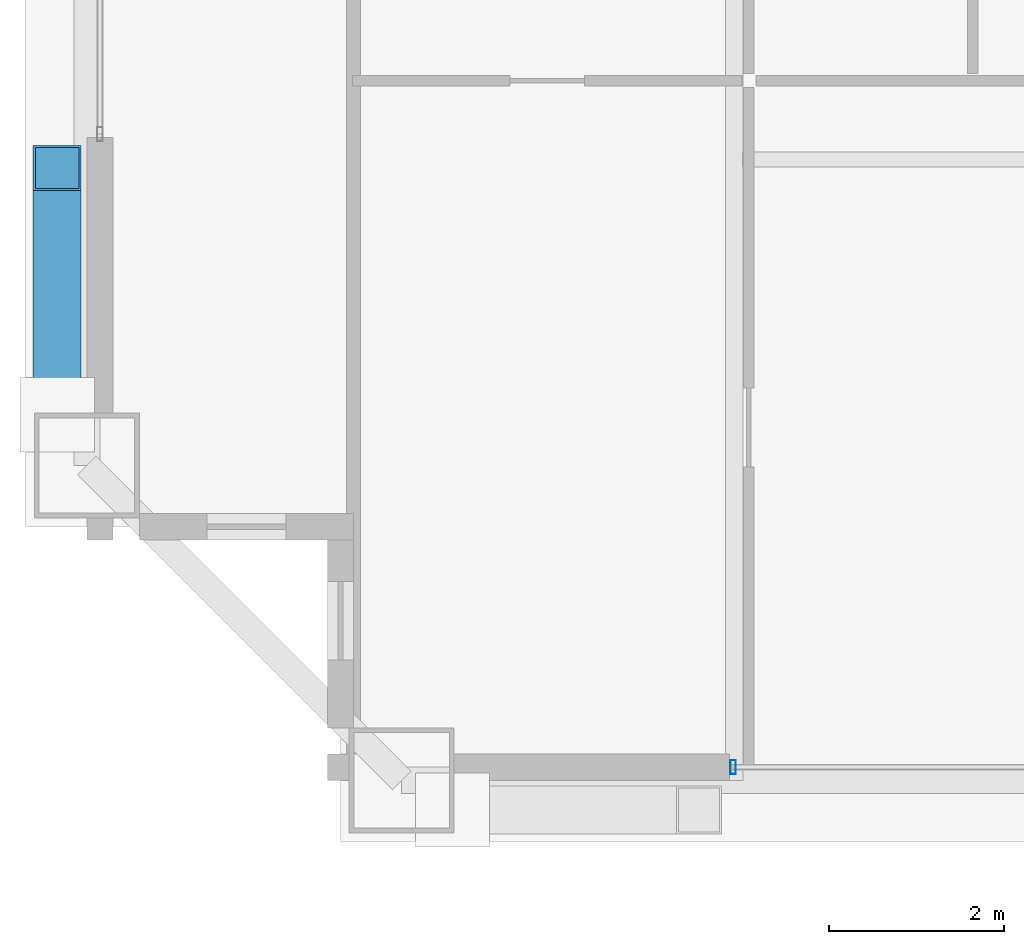
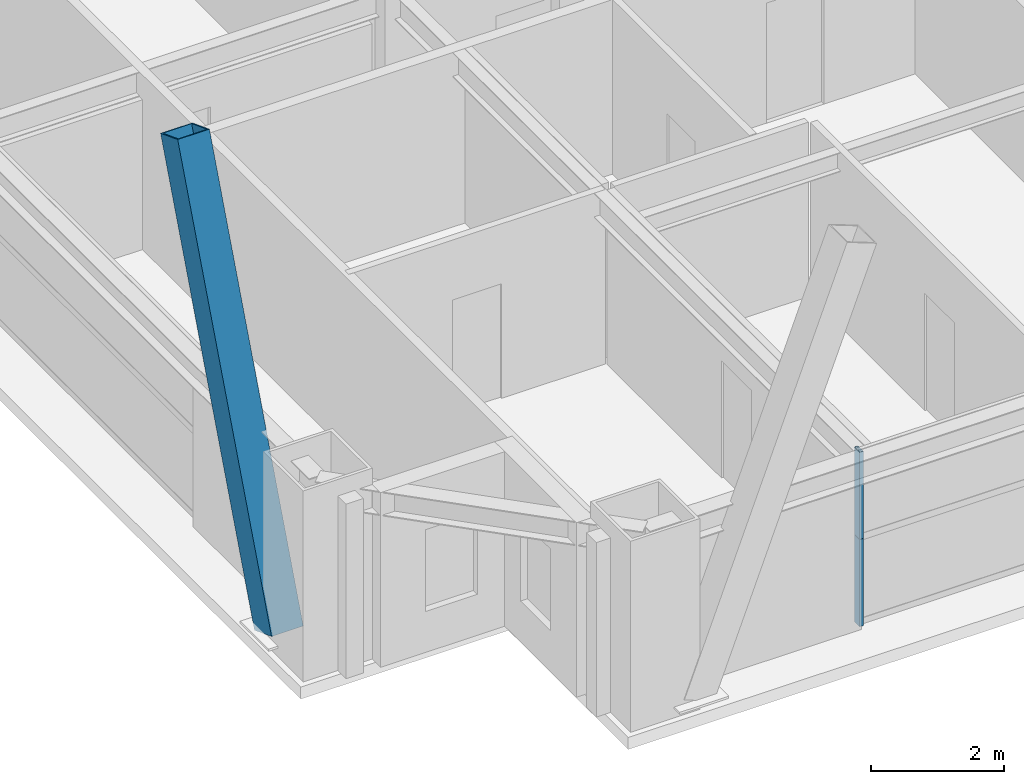
# One storey, part 3 of 36: 3 members, 1 element without a shape of its own.
"""IFC4 building model written with IfcOpenShell, lengths in metres."""

from ifc_helpers import new_model, si_unit, direction, frame, origin, origin_2d, place, context, subcontext, project, spatial, hollow_rectangle, extrude, source, transform, mapped, material, layer, layer_set, material_profile, profile_set, type_object, element, aggregate, save


model = new_model("IFC4")

# Units and contexts
model_context = context("Model", 3, precision=1e-05, world=origin(), true_north=direction((0.0, 1.0)))
body_context = subcontext(model_context, "Body", "Model", "MODEL_VIEW")
ifc_project = project(units=[si_unit("LENGTHUNIT", "METRE"), si_unit("AREAUNIT", "SQUARE_METRE"), si_unit("VOLUMEUNIT", "CUBIC_METRE"), si_unit("PLANEANGLEUNIT", "RADIAN"), si_unit("MASSUNIT", "GRAM", prefix="KILO"), si_unit("THERMODYNAMICTEMPERATUREUNIT", "KELVIN"), si_unit("POWERUNIT", "WATT")], contexts=[model_context])

# Site, building, storey
site_placement = place(None, origin())
site = spatial("IfcSite", under=ifc_project, at=site_placement, CompositionType="ELEMENT")
building_placement = place(site_placement, origin())
building = spatial("IfcBuilding", under=site, at=building_placement, Name="Yuzanri Waterfront Tower", CompositionType="ELEMENT")
storey_placement = place(building_placement, frame((0.0, 0.0, 255.60009765625)))
storey = spatial("IfcBuildingStorey", under=building, at=storey_placement, Name="L68", CompositionType="ELEMENT", Elevation=255.60009765625)

# Member
ifc_material_1 = material(Name="Steel Q390GJC", Category="steel")
ifc_material_profile_1 = material_profile(ifc_material_1, hollow_rectangle(XDim=0.550048828125, YDim=0.550048828125, WallThickness=0.02490234375, at=origin_2d()), Name="RHS 550x550x25")
ifc_profile_set_1 = profile_set([ifc_material_profile_1], Name="Steel Q390GJC")
member_type_1 = type_object("IfcMemberType", Name="Mega Brace Mid Q390GJC RHS 550x550x25", PredefinedType="BRACE", material=ifc_profile_set_1)
shared_shape_1 = source(origin(), body_context, "Body", "SweptSolid", [
    extrude(hollow_rectangle(XDim=0.550048828125, YDim=0.550048828125, WallThickness=0.02490234375, at=origin_2d()), origin(), (0.0, 0.0, 1.0), 7.9189453125),
])
member_1_placement = place(storey_placement, frame((16.06005859375, 9.3798828125, 0.179931640625), z_axis=(0.0, 0.356111988672, 0.934443284274), x_axis=(-1.0, 0.0, 0.0)))
element("IfcMember", 1, at=member_1_placement, inside=storey, type_object=member_type_1, Name="L68-L69 Perimeter Mega-Brace W-L", PredefinedType="BRACE", context=body_context, shape_type="MappedRepresentation", body=[
    mapped(shared_shape_1, transform((0.0, 0.0, 0.0), scale=1.0)),
])

# Curtain wall, members
ifc_material_2 = material(Name="Anodized Architectural Bronze", Category="metal")
ifc_layer = layer(ifc_material_2, 0.159912109375)
ifc_layer_set = layer_set([ifc_layer], Name="Anodized Architectural Bronze")
curtain_wall_type = type_object("IfcCurtainWallType", Name="Anodized Bronze Mid-Rise Residential Acoustic Unitized Curtain Wall 7200", PredefinedType="NOTDEFINED", material=ifc_layer_set)
curtain_wall_placement = place(storey_placement, origin())
curtain_wall = element("IfcCurtainWall", 2, at=curtain_wall_placement, inside=storey, type_object=curtain_wall_type, Name="L68 Curtain Wall CW-L68-SL", PredefinedType="NOTDEFINED")
ifc_material_3 = material(Name="Anodized Architectural Bronze", Category="metal")
ifc_material_profile_2 = material_profile(ifc_material_3, hollow_rectangle(XDim=0.06494140625, YDim=0.159912109375, WallThickness=0.00341796875, at=origin_2d()), Name="CWM 65x160")
ifc_profile_set_2 = profile_set([ifc_material_profile_2], Name="Anodized Architectural Bronze")
member_type_2 = type_object("IfcMemberType", Name="Anodized Bronze Upper-Zone Curtain-Wall Mullion 65x160", PredefinedType="MULLION", material=ifc_profile_set_2)
shared_shape_2 = source(origin(), body_context, "Body", "SweptSolid", [
    extrude(hollow_rectangle(XDim=0.06494140625, YDim=0.159912109375, WallThickness=0.00341796875, at=origin_2d()), origin(), (0.0, 0.0, 1.0), 1.597900390625),
])
member_2_placement = place(storey_placement, frame((23.7900390625, 5.35009765625, 0.0), z_axis=(0.0, 0.0, 1.0), x_axis=(1.0, 0.0, 0.0)))
member_2 = element("IfcMember", 3, at=member_2_placement, type_object=member_type_2, Name="CW-L68-SL Lower Mullion 00", PredefinedType="MULLION", context=body_context, shape_type="MappedRepresentation", body=[
    mapped(shared_shape_2, transform((0.0, 0.0, 0.0), scale=1.0)),
])
shared_shape_3 = source(origin(), body_context, "Body", "SweptSolid", [
    extrude(hollow_rectangle(XDim=0.06494140625, YDim=0.159912109375, WallThickness=0.00341796875, at=origin_2d()), origin(), (0.0, 0.0, 1.0), 1.59814453125),
])
member_3_placement = place(storey_placement, frame((23.7900390625, 5.35009765625, 1.601806640625), z_axis=(0.0, 0.0, 1.0), x_axis=(1.0, 0.0, 0.0)))
member_3 = element("IfcMember", 4, at=member_3_placement, type_object=member_type_2, Name="CW-L68-SL Upper Mullion 00", PredefinedType="MULLION", context=body_context, shape_type="MappedRepresentation", body=[
    mapped(shared_shape_3, transform((0.0, 0.0, 0.0), scale=1.0)),
])
aggregate(curtain_wall, [member_2, member_3])

save(model, "model.ifc")
